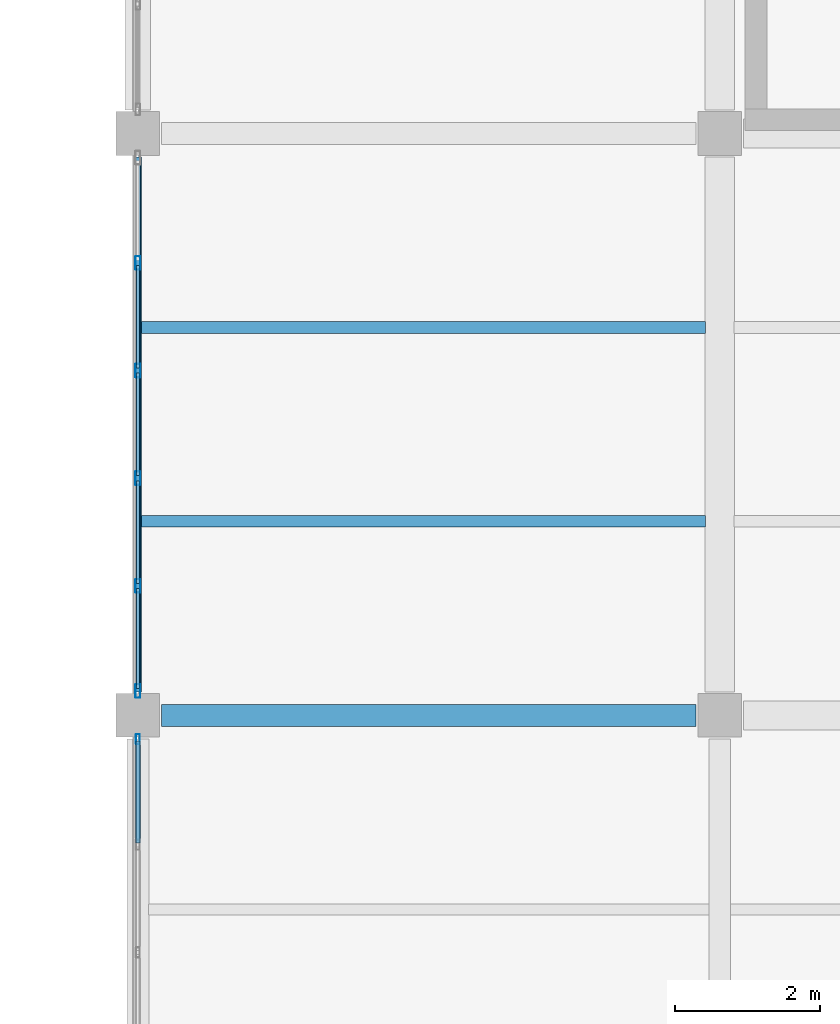
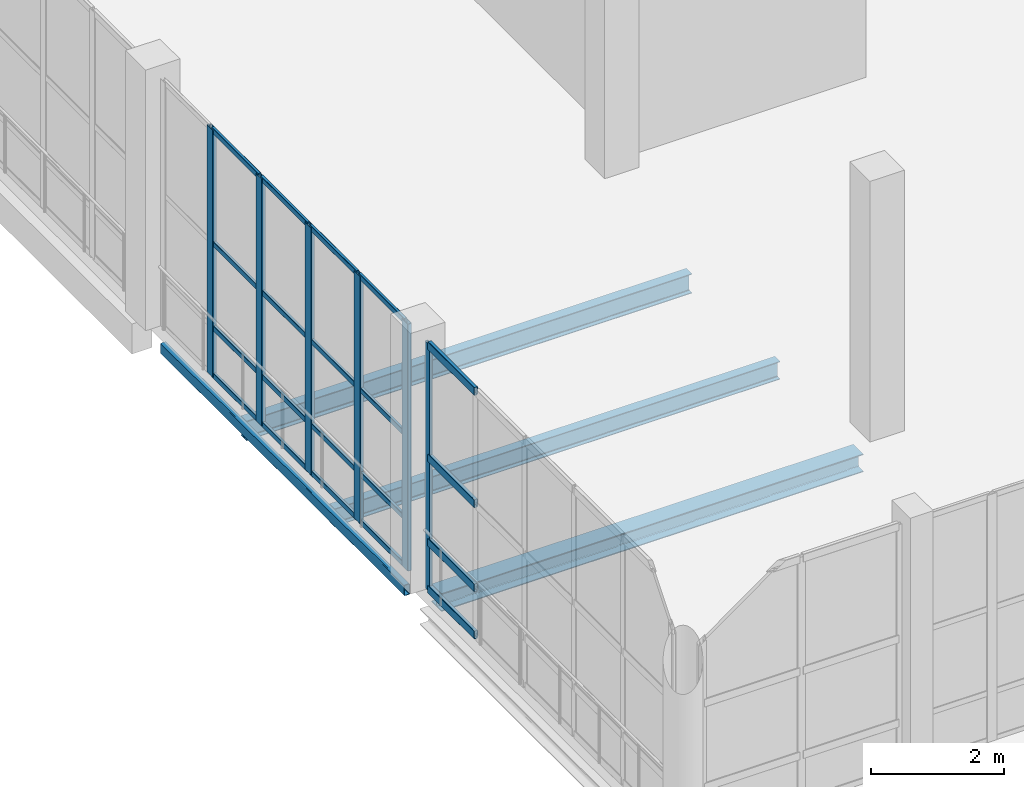
# One storey, part 43 of 156: 26 members, 4 beams, 2 elements without a shape of their own.
"""IFC4 building model written with IfcOpenShell, lengths in metres."""

from ifc_helpers import new_model, si_unit, direction, frame, origin, origin_2d, place, context, subcontext, project, spatial, hollow_rectangle, i_section, extrude, material, material_profile, profile_set, type_object, element, aggregate, save


model = new_model("IFC4")

# Units and contexts
model_context = context("Model", 3, precision=1e-05, world=origin(), true_north=direction((0.0, 1.0)))
body_context = subcontext(model_context, "Body", "Model", "MODEL_VIEW")
ifc_project = project(units=[si_unit("LENGTHUNIT", "METRE"), si_unit("AREAUNIT", "SQUARE_METRE"), si_unit("VOLUMEUNIT", "CUBIC_METRE"), si_unit("PLANEANGLEUNIT", "RADIAN"), si_unit("MASSUNIT", "GRAM", prefix="KILO")], contexts=[model_context])

# Site, building, storey
site_placement = place(None, origin())
site = spatial("IfcSite", under=ifc_project, at=site_placement, CompositionType="ELEMENT")
building_placement = place(site_placement, origin())
building = spatial("IfcBuilding", under=site, at=building_placement, Name="Luwemba Playhouse", CompositionType="ELEMENT")
storey_placement = place(building_placement, origin())
storey = spatial("IfcBuildingStorey", under=building, at=storey_placement, Name="L00", CompositionType="ELEMENT", Elevation=0.0)

# Beams
ifc_material_1 = material(Name="Steel S355", Category="steel")
ifc_material_profile_1 = material_profile(ifc_material_1, i_section(OverallWidth=0.300048828125, OverallDepth=0.330078125, WebThickness=0.009521484375, FlangeThickness=0.0166015625, FilletRadius=0.027099609375, at=origin_2d()))
ifc_profile_set_1 = profile_set([ifc_material_profile_1], Name="Steel S355")
beam_type_1 = type_object("IfcBeamType", Name="BM-SB04", PredefinedType="BEAM", material=ifc_profile_set_1)
beam_1_placement = place(storey_placement, frame((116.324951171875, 11.0, -0.465087890625), z_axis=(1.0, 0.0, 0.0), x_axis=(0.0, 1.0, 0.0)))
element("IfcBeam", 1, at=beam_1_placement, inside=storey, type_object=beam_type_1, Name="L00 grid girder 0209", PredefinedType="BEAM", context=body_context, shape_type="SweptSolid", body=[
    extrude(i_section(OverallWidth=0.300048828125, OverallDepth=0.330078125, WebThickness=0.009521484375, FlangeThickness=0.0166015625, FilletRadius=0.027099609375, at=origin_2d()), origin(), (0.0, 0.0, 1.0), 7.35009765625),
])
ifc_material_profile_2 = material_profile(ifc_material_1, i_section(OverallWidth=0.159912109375, OverallDepth=0.330078125, WebThickness=0.007568359375, FlangeThickness=0.011474609375, FilletRadius=0.01806640625, at=origin_2d()))
ifc_profile_set_2 = profile_set([ifc_material_profile_2], Name="Steel S355")
beam_type_2 = type_object("IfcBeamType", Name="BM-SJ06", PredefinedType="JOIST", material=ifc_profile_set_2)
beam_2_placement = place(storey_placement, frame((116.0458984375, 13.666748046875, -0.465087890625), z_axis=(1.0, 0.0, 0.0), x_axis=(0.0, 1.0, 0.0)))
element("IfcBeam", 2, at=beam_2_placement, inside=storey, type_object=beam_type_2, Name="L00 composite floor joist 0158", PredefinedType="JOIST", context=body_context, shape_type="SweptSolid", body=[
    extrude(i_section(OverallWidth=0.159912109375, OverallDepth=0.330078125, WebThickness=0.007568359375, FlangeThickness=0.011474609375, FilletRadius=0.01806640625, at=origin_2d()), origin(), (0.0, 0.0, 1.0), 7.758056640625),
])
ifc_material_profile_3 = material_profile(ifc_material_1, i_section(OverallWidth=0.169921875, OverallDepth=0.360107421875, WebThickness=0.008056640625, FlangeThickness=0.0126953125, FilletRadius=0.01806640625, at=origin_2d()))
ifc_profile_set_3 = profile_set([ifc_material_profile_3], Name="Steel S355")
beam_type_3 = type_object("IfcBeamType", Name="BM-SJ07", PredefinedType="JOIST", material=ifc_profile_set_3)
beam_3_placement = place(storey_placement, frame((116.0458984375, 16.333251953125, -0.47998046875), z_axis=(1.0, 0.0, 0.0), x_axis=(0.0, 1.0, 0.0)))
element("IfcBeam", 3, at=beam_3_placement, inside=storey, type_object=beam_type_3, Name="L00 composite floor joist 0159", PredefinedType="JOIST", context=body_context, shape_type="SweptSolid", body=[
    extrude(i_section(OverallWidth=0.169921875, OverallDepth=0.360107421875, WebThickness=0.008056640625, FlangeThickness=0.0126953125, FilletRadius=0.01806640625, at=origin_2d()), origin(), (0.0, 0.0, 1.0), 7.758056640625),
])
ifc_material_profile_4 = material_profile(ifc_material_1, hollow_rectangle(XDim=0.10009765625, YDim=0.199951171875, WallThickness=0.008056640625, InnerFilletRadius=0.011962890625, OuterFilletRadius=0.02001953125, at=origin_2d()))
ifc_profile_set_4 = profile_set([ifc_material_profile_4], Name="Steel S355")
beam_type_4 = type_object("IfcBeamType", Name="BM-SSP2", PredefinedType="SPANDREL", material=ifc_profile_set_4)
beam_4_placement = place(storey_placement, frame((116.0, 11.324951171875, -0.39990234375), z_axis=(0.0, 1.0, 0.0), x_axis=(-1.0, 0.0, 0.0)))
element("IfcBeam", 4, at=beam_4_placement, inside=storey, type_object=beam_type_4, Name="L00 transverse girder 0231", PredefinedType="SPANDREL", context=body_context, shape_type="SweptSolid", body=[
    extrude(hollow_rectangle(XDim=0.10009765625, YDim=0.199951171875, WallThickness=0.008056640625, InnerFilletRadius=0.011962890625, OuterFilletRadius=0.02001953125, at=origin_2d()), origin(), (0.0, 0.0, 1.0), 7.35009765625),
])

# Curtain wall, member
ifc_material_2 = material(Name="Solar-control double glazing", Category="glass")
curtain_wall_type_1 = type_object("IfcCurtainWallType", Name="CW-CW44", PredefinedType="USERDEFINED", material=ifc_material_2)
curtain_wall_1_placement = place(storey_placement, origin())
curtain_wall_1 = element("IfcCurtainWall", 5, at=curtain_wall_1_placement, inside=storey, type_object=curtain_wall_type_1, Name="L00 V5E unitised curtain wall 053", ObjectType="UNITISED GLAZING", PredefinedType="USERDEFINED")
ifc_material_3 = material(Name="Aluminium 6063-T6", Category="aluminium")
ifc_material_profile_5 = material_profile(ifc_material_3, hollow_rectangle(XDim=0.054931640625, YDim=0.139892578125, WallThickness=0.00390625, InnerFilletRadius=0.006103515625, OuterFilletRadius=0.010009765625, at=origin_2d()))
ifc_profile_set_5 = profile_set([ifc_material_profile_5], Name="Aluminium 6063-T6")
member_type_1 = type_object("IfcMemberType", Name="CWM-M3", PredefinedType="MULLION", material=ifc_profile_set_5)
member_1_placement = place(storey_placement, frame((116.0, 10.672607421875, 0.0), z_axis=(0.0, 0.0, 1.0), x_axis=(-1.0, 0.0, 0.0)))
member_1 = element("IfcMember", 6, at=member_1_placement, type_object=member_type_1, Name="CW44 mullion 6", PredefinedType="MULLION", context=body_context, shape_type="SweptSolid", body=[
    extrude(hollow_rectangle(XDim=0.054931640625, YDim=0.139892578125, WallThickness=0.00390625, InnerFilletRadius=0.006103515625, OuterFilletRadius=0.010009765625, at=origin_2d()), origin(), (0.0, 0.0, 1.0), 4.550048828125),
])

# Curtain wall, members
curtain_wall_type_2 = type_object("IfcCurtainWallType", Name="CW-CW45", PredefinedType="USERDEFINED", material=ifc_material_2)
curtain_wall_2_placement = place(storey_placement, origin())
curtain_wall_2 = element("IfcCurtainWall", 7, at=curtain_wall_2_placement, inside=storey, type_object=curtain_wall_type_2, Name="L00 V5E unitised curtain wall 054", ObjectType="UNITISED GLAZING", PredefinedType="USERDEFINED")
ifc_material_profile_6 = material_profile(ifc_material_3, hollow_rectangle(XDim=0.070068359375, YDim=0.18994140625, WallThickness=0.0048828125, InnerFilletRadius=0.007568359375, OuterFilletRadius=0.012451171875, at=origin_2d()))
ifc_profile_set_6 = profile_set([ifc_material_profile_6], Name="Aluminium 6063-T6")
member_type_2 = type_object("IfcMemberType", Name="CWM-M4", PredefinedType="MULLION", material=ifc_profile_set_6)
member_2_placement = place(storey_placement, frame((116.0, 11.3349609375, 0.0), z_axis=(0.0, 0.0, 1.0), x_axis=(-1.0, 0.0, 0.0)))
member_2 = element("IfcMember", 8, at=member_2_placement, type_object=member_type_2, Name="CW45 mullion 1", PredefinedType="MULLION", context=body_context, shape_type="SweptSolid", body=[
    extrude(hollow_rectangle(XDim=0.070068359375, YDim=0.18994140625, WallThickness=0.0048828125, InnerFilletRadius=0.007568359375, OuterFilletRadius=0.012451171875, at=origin_2d()), origin(), (0.0, 0.0, 1.0), 4.550048828125),
])
member_3_placement = place(storey_placement, frame((116.0, 12.780029296875, 0.0), z_axis=(0.0, 0.0, 1.0), x_axis=(-1.0, 0.0, 0.0)))
member_3 = element("IfcMember", 9, at=member_3_placement, type_object=member_type_2, Name="CW45 mullion 2", PredefinedType="MULLION", context=body_context, shape_type="SweptSolid", body=[
    extrude(hollow_rectangle(XDim=0.070068359375, YDim=0.18994140625, WallThickness=0.0048828125, InnerFilletRadius=0.007568359375, OuterFilletRadius=0.012451171875, at=origin_2d()), origin(), (0.0, 0.0, 1.0), 4.550048828125),
])
member_4_placement = place(storey_placement, frame((116.0, 14.260009765625, 0.0), z_axis=(0.0, 0.0, 1.0), x_axis=(-1.0, 0.0, 0.0)))
member_4 = element("IfcMember", 10, at=member_4_placement, type_object=member_type_2, Name="CW45 mullion 3", PredefinedType="MULLION", context=body_context, shape_type="SweptSolid", body=[
    extrude(hollow_rectangle(XDim=0.070068359375, YDim=0.18994140625, WallThickness=0.0048828125, InnerFilletRadius=0.007568359375, OuterFilletRadius=0.012451171875, at=origin_2d()), origin(), (0.0, 0.0, 1.0), 4.550048828125),
])
member_5_placement = place(storey_placement, frame((116.0, 15.739990234375, 0.0), z_axis=(0.0, 0.0, 1.0), x_axis=(-1.0, 0.0, 0.0)))
member_5 = element("IfcMember", 11, at=member_5_placement, type_object=member_type_2, Name="CW45 mullion 4", PredefinedType="MULLION", context=body_context, shape_type="SweptSolid", body=[
    extrude(hollow_rectangle(XDim=0.070068359375, YDim=0.18994140625, WallThickness=0.0048828125, InnerFilletRadius=0.007568359375, OuterFilletRadius=0.012451171875, at=origin_2d()), origin(), (0.0, 0.0, 1.0), 4.550048828125),
])
member_6_placement = place(storey_placement, frame((116.0, 17.219970703125, 0.0), z_axis=(0.0, 0.0, 1.0), x_axis=(-1.0, 0.0, 0.0)))
member_6 = element("IfcMember", 12, at=member_6_placement, type_object=member_type_2, Name="CW45 mullion 5", PredefinedType="MULLION", context=body_context, shape_type="SweptSolid", body=[
    extrude(hollow_rectangle(XDim=0.070068359375, YDim=0.18994140625, WallThickness=0.0048828125, InnerFilletRadius=0.007568359375, OuterFilletRadius=0.012451171875, at=origin_2d()), origin(), (0.0, 0.0, 1.0), 4.550048828125),
])

# Member
ifc_material_profile_7 = material_profile(ifc_material_3, hollow_rectangle(XDim=0.06494140625, YDim=0.14990234375, WallThickness=0.00390625, InnerFilletRadius=0.006103515625, OuterFilletRadius=0.010009765625, at=origin_2d()))
ifc_profile_set_7 = profile_set([ifc_material_profile_7], Name="Aluminium 6063-T6")
member_type_3 = type_object("IfcMemberType", Name="CWT-T3", PredefinedType="USERDEFINED", material=ifc_profile_set_7)
member_7_placement = place(storey_placement, frame((116.0, 9.24755859375, 0.032470703125), z_axis=(0.0, 1.0, 0.0), x_axis=(-1.0, 0.0, 0.0)))
member_7 = element("IfcMember", 13, at=member_7_placement, type_object=member_type_3, Name="CW44 transom 5.1", ObjectType="TRANSOM", PredefinedType="USERDEFINED", context=body_context, shape_type="SweptSolid", body=[
    extrude(hollow_rectangle(XDim=0.06494140625, YDim=0.14990234375, WallThickness=0.00390625, InnerFilletRadius=0.006103515625, OuterFilletRadius=0.010009765625, at=origin_2d()), origin(), (0.0, 0.0, 1.0), 1.3974609375),
])

member_8_placement = place(storey_placement, frame((116.0, 9.24755859375, 0.89990234375), z_axis=(0.0, 1.0, 0.0), x_axis=(-1.0, 0.0, 0.0)))
member_8 = element("IfcMember", 14, at=member_8_placement, type_object=member_type_3, Name="CW44 transom 5.2", ObjectType="TRANSOM", PredefinedType="USERDEFINED", context=body_context, shape_type="SweptSolid", body=[
    extrude(hollow_rectangle(XDim=0.06494140625, YDim=0.14990234375, WallThickness=0.00390625, InnerFilletRadius=0.006103515625, OuterFilletRadius=0.010009765625, at=origin_2d()), origin(), (0.0, 0.0, 1.0), 1.3974609375),
])

member_9_placement = place(storey_placement, frame((116.0, 9.24755859375, 2.449951171875), z_axis=(0.0, 1.0, 0.0), x_axis=(-1.0, 0.0, 0.0)))
member_9 = element("IfcMember", 15, at=member_9_placement, type_object=member_type_3, Name="CW44 transom 5.3", ObjectType="TRANSOM", PredefinedType="USERDEFINED", context=body_context, shape_type="SweptSolid", body=[
    extrude(hollow_rectangle(XDim=0.06494140625, YDim=0.14990234375, WallThickness=0.00390625, InnerFilletRadius=0.006103515625, OuterFilletRadius=0.010009765625, at=origin_2d()), origin(), (0.0, 0.0, 1.0), 1.3974609375),
])

member_10_placement = place(storey_placement, frame((116.0, 9.24755859375, 4.517578125), z_axis=(0.0, 1.0, 0.0), x_axis=(-1.0, 0.0, 0.0)))
member_10 = element("IfcMember", 16, at=member_10_placement, type_object=member_type_3, Name="CW44 transom 5.4", ObjectType="TRANSOM", PredefinedType="USERDEFINED", context=body_context, shape_type="SweptSolid", body=[
    extrude(hollow_rectangle(XDim=0.06494140625, YDim=0.14990234375, WallThickness=0.00390625, InnerFilletRadius=0.006103515625, OuterFilletRadius=0.010009765625, at=origin_2d()), origin(), (0.0, 0.0, 1.0), 1.3974609375),
])

aggregate(curtain_wall_1, [member_1, member_7, member_8, member_9, member_10])

ifc_material_profile_8 = material_profile(ifc_material_3, hollow_rectangle(XDim=0.050048828125, YDim=0.10009765625, WallThickness=0.00341796875, InnerFilletRadius=0.00537109375, OuterFilletRadius=0.0087890625, at=origin_2d()))
ifc_profile_set_8 = profile_set([ifc_material_profile_8], Name="Aluminium 6063-T6")
member_type_4 = type_object("IfcMemberType", Name="CWT-T4", PredefinedType="USERDEFINED", material=ifc_profile_set_8)
member_11_placement = place(storey_placement, frame((116.0, 11.3701171875, 0.02490234375), z_axis=(0.0, 1.0, 0.0), x_axis=(-1.0, 0.0, 0.0)))
member_11 = element("IfcMember", 17, at=member_11_placement, type_object=member_type_4, Name="CW45 transom 1.1", ObjectType="TRANSOM", PredefinedType="USERDEFINED", context=body_context, shape_type="SweptSolid", body=[
    extrude(hollow_rectangle(XDim=0.050048828125, YDim=0.10009765625, WallThickness=0.00341796875, InnerFilletRadius=0.00537109375, OuterFilletRadius=0.0087890625, at=origin_2d()), origin(), (0.0, 0.0, 1.0), 1.375),
])

member_12_placement = place(storey_placement, frame((116.0, 11.3701171875, 0.89990234375), z_axis=(0.0, 1.0, 0.0), x_axis=(-1.0, 0.0, 0.0)))
member_12 = element("IfcMember", 18, at=member_12_placement, type_object=member_type_4, Name="CW45 transom 1.2", ObjectType="TRANSOM", PredefinedType="USERDEFINED", context=body_context, shape_type="SweptSolid", body=[
    extrude(hollow_rectangle(XDim=0.050048828125, YDim=0.10009765625, WallThickness=0.00341796875, InnerFilletRadius=0.00537109375, OuterFilletRadius=0.0087890625, at=origin_2d()), origin(), (0.0, 0.0, 1.0), 1.375),
])

member_13_placement = place(storey_placement, frame((116.0, 11.3701171875, 2.449951171875), z_axis=(0.0, 1.0, 0.0), x_axis=(-1.0, 0.0, 0.0)))
member_13 = element("IfcMember", 19, at=member_13_placement, type_object=member_type_4, Name="CW45 transom 1.3", ObjectType="TRANSOM", PredefinedType="USERDEFINED", context=body_context, shape_type="SweptSolid", body=[
    extrude(hollow_rectangle(XDim=0.050048828125, YDim=0.10009765625, WallThickness=0.00341796875, InnerFilletRadius=0.00537109375, OuterFilletRadius=0.0087890625, at=origin_2d()), origin(), (0.0, 0.0, 1.0), 1.375),
])

member_14_placement = place(storey_placement, frame((116.0, 11.3701171875, 4.52490234375), z_axis=(0.0, 1.0, 0.0), x_axis=(-1.0, 0.0, 0.0)))
member_14 = element("IfcMember", 20, at=member_14_placement, type_object=member_type_4, Name="CW45 transom 1.4", ObjectType="TRANSOM", PredefinedType="USERDEFINED", context=body_context, shape_type="SweptSolid", body=[
    extrude(hollow_rectangle(XDim=0.050048828125, YDim=0.10009765625, WallThickness=0.00341796875, InnerFilletRadius=0.00537109375, OuterFilletRadius=0.0087890625, at=origin_2d()), origin(), (0.0, 0.0, 1.0), 1.375),
])

member_15_placement = place(storey_placement, frame((116.0, 12.81494140625, 0.02490234375), z_axis=(0.0, 1.0, 0.0), x_axis=(-1.0, 0.0, 0.0)))
member_15 = element("IfcMember", 21, at=member_15_placement, type_object=member_type_4, Name="CW45 transom 2.1", ObjectType="TRANSOM", PredefinedType="USERDEFINED", context=body_context, shape_type="SweptSolid", body=[
    extrude(hollow_rectangle(XDim=0.050048828125, YDim=0.10009765625, WallThickness=0.00341796875, InnerFilletRadius=0.00537109375, OuterFilletRadius=0.0087890625, at=origin_2d()), origin(), (0.0, 0.0, 1.0), 1.41015625),
])

member_16_placement = place(storey_placement, frame((116.0, 12.81494140625, 0.89990234375), z_axis=(0.0, 1.0, 0.0), x_axis=(-1.0, 0.0, 0.0)))
member_16 = element("IfcMember", 22, at=member_16_placement, type_object=member_type_4, Name="CW45 transom 2.2", ObjectType="TRANSOM", PredefinedType="USERDEFINED", context=body_context, shape_type="SweptSolid", body=[
    extrude(hollow_rectangle(XDim=0.050048828125, YDim=0.10009765625, WallThickness=0.00341796875, InnerFilletRadius=0.00537109375, OuterFilletRadius=0.0087890625, at=origin_2d()), origin(), (0.0, 0.0, 1.0), 1.41015625),
])

member_17_placement = place(storey_placement, frame((116.0, 12.81494140625, 2.449951171875), z_axis=(0.0, 1.0, 0.0), x_axis=(-1.0, 0.0, 0.0)))
member_17 = element("IfcMember", 23, at=member_17_placement, type_object=member_type_4, Name="CW45 transom 2.3", ObjectType="TRANSOM", PredefinedType="USERDEFINED", context=body_context, shape_type="SweptSolid", body=[
    extrude(hollow_rectangle(XDim=0.050048828125, YDim=0.10009765625, WallThickness=0.00341796875, InnerFilletRadius=0.00537109375, OuterFilletRadius=0.0087890625, at=origin_2d()), origin(), (0.0, 0.0, 1.0), 1.41015625),
])

member_18_placement = place(storey_placement, frame((116.0, 12.81494140625, 4.52490234375), z_axis=(0.0, 1.0, 0.0), x_axis=(-1.0, 0.0, 0.0)))
member_18 = element("IfcMember", 24, at=member_18_placement, type_object=member_type_4, Name="CW45 transom 2.4", ObjectType="TRANSOM", PredefinedType="USERDEFINED", context=body_context, shape_type="SweptSolid", body=[
    extrude(hollow_rectangle(XDim=0.050048828125, YDim=0.10009765625, WallThickness=0.00341796875, InnerFilletRadius=0.00537109375, OuterFilletRadius=0.0087890625, at=origin_2d()), origin(), (0.0, 0.0, 1.0), 1.41015625),
])

member_19_placement = place(storey_placement, frame((116.0, 14.294921875, 0.02490234375), z_axis=(0.0, 1.0, 0.0), x_axis=(-1.0, 0.0, 0.0)))
member_19 = element("IfcMember", 25, at=member_19_placement, type_object=member_type_4, Name="CW45 transom 3.1", ObjectType="TRANSOM", PredefinedType="USERDEFINED", context=body_context, shape_type="SweptSolid", body=[
    extrude(hollow_rectangle(XDim=0.050048828125, YDim=0.10009765625, WallThickness=0.00341796875, InnerFilletRadius=0.00537109375, OuterFilletRadius=0.0087890625, at=origin_2d()), origin(), (0.0, 0.0, 1.0), 1.41015625),
])

member_20_placement = place(storey_placement, frame((116.0, 14.294921875, 0.89990234375), z_axis=(0.0, 1.0, 0.0), x_axis=(-1.0, 0.0, 0.0)))
member_20 = element("IfcMember", 26, at=member_20_placement, type_object=member_type_4, Name="CW45 transom 3.2", ObjectType="TRANSOM", PredefinedType="USERDEFINED", context=body_context, shape_type="SweptSolid", body=[
    extrude(hollow_rectangle(XDim=0.050048828125, YDim=0.10009765625, WallThickness=0.00341796875, InnerFilletRadius=0.00537109375, OuterFilletRadius=0.0087890625, at=origin_2d()), origin(), (0.0, 0.0, 1.0), 1.41015625),
])

member_21_placement = place(storey_placement, frame((116.0, 14.294921875, 2.449951171875), z_axis=(0.0, 1.0, 0.0), x_axis=(-1.0, 0.0, 0.0)))
member_21 = element("IfcMember", 27, at=member_21_placement, type_object=member_type_4, Name="CW45 transom 3.3", ObjectType="TRANSOM", PredefinedType="USERDEFINED", context=body_context, shape_type="SweptSolid", body=[
    extrude(hollow_rectangle(XDim=0.050048828125, YDim=0.10009765625, WallThickness=0.00341796875, InnerFilletRadius=0.00537109375, OuterFilletRadius=0.0087890625, at=origin_2d()), origin(), (0.0, 0.0, 1.0), 1.41015625),
])

member_22_placement = place(storey_placement, frame((116.0, 14.294921875, 4.52490234375), z_axis=(0.0, 1.0, 0.0), x_axis=(-1.0, 0.0, 0.0)))
member_22 = element("IfcMember", 28, at=member_22_placement, type_object=member_type_4, Name="CW45 transom 3.4", ObjectType="TRANSOM", PredefinedType="USERDEFINED", context=body_context, shape_type="SweptSolid", body=[
    extrude(hollow_rectangle(XDim=0.050048828125, YDim=0.10009765625, WallThickness=0.00341796875, InnerFilletRadius=0.00537109375, OuterFilletRadius=0.0087890625, at=origin_2d()), origin(), (0.0, 0.0, 1.0), 1.41015625),
])

member_23_placement = place(storey_placement, frame((116.0, 15.77490234375, 0.02490234375), z_axis=(0.0, 1.0, 0.0), x_axis=(-1.0, 0.0, 0.0)))
member_23 = element("IfcMember", 29, at=member_23_placement, type_object=member_type_4, Name="CW45 transom 4.1", ObjectType="TRANSOM", PredefinedType="USERDEFINED", context=body_context, shape_type="SweptSolid", body=[
    extrude(hollow_rectangle(XDim=0.050048828125, YDim=0.10009765625, WallThickness=0.00341796875, InnerFilletRadius=0.00537109375, OuterFilletRadius=0.0087890625, at=origin_2d()), origin(), (0.0, 0.0, 1.0), 1.41015625),
])

member_24_placement = place(storey_placement, frame((116.0, 15.77490234375, 0.89990234375), z_axis=(0.0, 1.0, 0.0), x_axis=(-1.0, 0.0, 0.0)))
member_24 = element("IfcMember", 30, at=member_24_placement, type_object=member_type_4, Name="CW45 transom 4.2", ObjectType="TRANSOM", PredefinedType="USERDEFINED", context=body_context, shape_type="SweptSolid", body=[
    extrude(hollow_rectangle(XDim=0.050048828125, YDim=0.10009765625, WallThickness=0.00341796875, InnerFilletRadius=0.00537109375, OuterFilletRadius=0.0087890625, at=origin_2d()), origin(), (0.0, 0.0, 1.0), 1.41015625),
])

member_25_placement = place(storey_placement, frame((116.0, 15.77490234375, 2.449951171875), z_axis=(0.0, 1.0, 0.0), x_axis=(-1.0, 0.0, 0.0)))
member_25 = element("IfcMember", 31, at=member_25_placement, type_object=member_type_4, Name="CW45 transom 4.3", ObjectType="TRANSOM", PredefinedType="USERDEFINED", context=body_context, shape_type="SweptSolid", body=[
    extrude(hollow_rectangle(XDim=0.050048828125, YDim=0.10009765625, WallThickness=0.00341796875, InnerFilletRadius=0.00537109375, OuterFilletRadius=0.0087890625, at=origin_2d()), origin(), (0.0, 0.0, 1.0), 1.41015625),
])

member_26_placement = place(storey_placement, frame((116.0, 15.77490234375, 4.52490234375), z_axis=(0.0, 1.0, 0.0), x_axis=(-1.0, 0.0, 0.0)))
member_26 = element("IfcMember", 32, at=member_26_placement, type_object=member_type_4, Name="CW45 transom 4.4", ObjectType="TRANSOM", PredefinedType="USERDEFINED", context=body_context, shape_type="SweptSolid", body=[
    extrude(hollow_rectangle(XDim=0.050048828125, YDim=0.10009765625, WallThickness=0.00341796875, InnerFilletRadius=0.00537109375, OuterFilletRadius=0.0087890625, at=origin_2d()), origin(), (0.0, 0.0, 1.0), 1.41015625),
])

aggregate(curtain_wall_2, [member_2, member_3, member_4, member_5, member_6, member_11, member_12, member_13, member_14, member_15, member_16, member_17, member_18, member_19, member_20, member_21, member_22, member_23, member_24, member_25, member_26])

save(model, "model.ifc")
